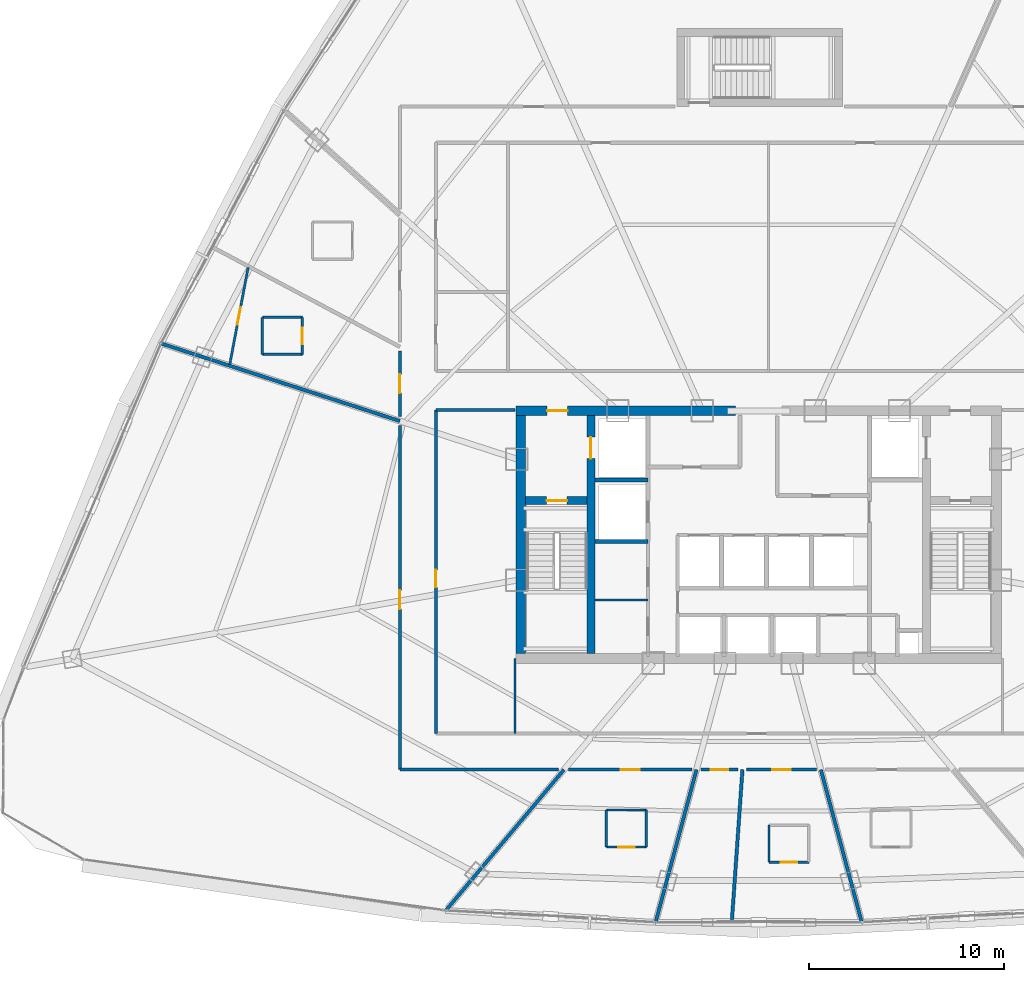
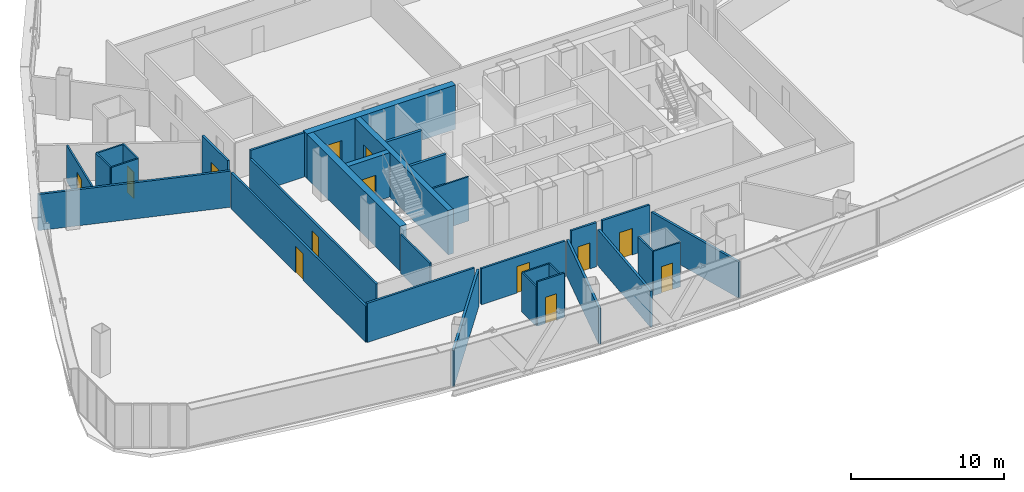
# One storey, part 32 of 40: 32 walls, 13 doors, 13 openings.
"""IFC4 building model written with IfcOpenShell, lengths in metres."""

from ifc_helpers import new_model, si_unit, direction, frame, frame_2d, origin, origin_with_axes, place, context, subcontext, project, spatial, rectangle, extrude, source, transform, mapped, material, layer, layer_set, type_object, element, fill, save


model = new_model("IFC4")

# Units and contexts
model_context = context("Model", 3, precision=1e-05, world=origin(), true_north=direction((0.0, 1.0)))
body_context = subcontext(model_context, "Body", "Model", "MODEL_VIEW")
ifc_project = project(units=[si_unit("LENGTHUNIT", "METRE"), si_unit("AREAUNIT", "SQUARE_METRE"), si_unit("VOLUMEUNIT", "CUBIC_METRE"), si_unit("PLANEANGLEUNIT", "RADIAN"), si_unit("MASSUNIT", "GRAM", prefix="KILO"), si_unit("THERMODYNAMICTEMPERATUREUNIT", "KELVIN"), si_unit("POWERUNIT", "WATT")], contexts=[model_context])

# Site, building, storey
site_placement = place(None, origin())
site = spatial("IfcSite", under=ifc_project, at=site_placement, CompositionType="ELEMENT")
building_placement = place(site_placement, origin())
building = spatial("IfcBuilding", under=site, at=building_placement, Name="Yunzhuo Pagoda Commons", CompositionType="ELEMENT")
storey_placement = place(building_placement, frame((0.0, 0.0, 184.760009765625)))
storey = spatial("IfcBuildingStorey", under=building, at=storey_placement, Name="L46", CompositionType="ELEMENT", Elevation=184.760009765625)

# Wall, opening, door
ifc_material_1 = material(Name="Concrete C50", Category="concrete")
ifc_layer_1 = layer(ifc_material_1, 0.5)
ifc_layer_set_1 = layer_set([ifc_layer_1], Name="Concrete C50")
wall_type_1 = type_object("IfcWallType", Name="W-C03 Upper Core Shear Wall 500", PredefinedType="SHEAR", material=ifc_layer_set_1)
wall_1_placement = place(storey_placement, frame((35.550048828125, 40.199951171875, 0.0), z_axis=(0.0, 0.0, 1.0), x_axis=(1.0, 0.0, 0.0)))
wall_1 = element("IfcWall", 1, at=wall_1_placement, inside=storey, type_object=wall_type_1, Name="L46 core shear wall NW", PredefinedType="SHEAR", context=body_context, shape_type="SweptSolid", body=[
    extrude(rectangle(XDim=11.25, YDim=0.5, at=frame_2d((5.625, 0.0))), origin(), (0.0, 0.0, 1.0), 3.5400390625),
])
opening_1_placement = place(wall_1_placement, frame((1.60009765625, 0.0, 0.0)))
opening_1 = element("IfcOpeningElement", 2, at=opening_1_placement, cuts=wall_1, Name="Opening D-02", PredefinedType="OPENING", context=body_context, shape_type="SweptSolid", body=[
    extrude(rectangle(XDim=1.050048828125, YDim=2.10009765625, at=frame_2d((0.52490234375, 1.050048828125))), frame((0.0, 0.260009765625, 0.0), z_axis=(0.0, -1.0, 0.0), x_axis=(1.0, 0.0, 0.0)), (0.0, 0.0, 1.0), 0.52001953125),
])
ifc_material_2 = material(Name="Galvanized fire-resisting metal leaf")
door_type_1 = type_object("IfcDoorType", Name="D-02 Firefighting Lobby & Refuge Fire Door 1050x2100", OperationType="NOTDEFINED", PredefinedType="DOOR", material=ifc_material_2)
shared_shape_1 = source(origin(), body_context, "Body", "SweptSolid", [
    extrude(rectangle(XDim=1.050048828125, YDim=2.10009765625, at=frame_2d((0.52490234375, 1.050048828125))), frame((0.0, 0.02490234375, 0.0), z_axis=(0.0, -1.0, 0.0), x_axis=(1.0, 0.0, 0.0)), (0.0, 0.0, 1.0), 0.050048828125),
])
door_1_placement = place(opening_1_placement, frame((1.050048828125, 0.0, 0.0), z_axis=(0.0, 0.0, 1.0), x_axis=(-1.0, 0.0, 0.0)))
door_1 = element("IfcDoor", 3, at=door_1_placement, inside=storey, type_object=door_type_1, Name="L46 Firefighting Lobby 1 fire door", OperationType="SINGLE_SWING_LEFT", OverallHeight=2.10009765625, OverallWidth=1.050048828125, PredefinedType="DOOR", context=body_context, shape_type="MappedRepresentation", body=[
    mapped(shared_shape_1, transform((0.0, 0.0, 0.0), scale=1.0)),
])
fill(opening_1, door_1)

# Wall
wall_2_placement = place(storey_placement, frame((35.800048828125, 27.75, 0.0), z_axis=(0.0, 0.0, 1.0), x_axis=(0.0, 1.0, 0.0)))
element("IfcWall", 4, at=wall_2_placement, inside=storey, type_object=wall_type_1, Name="L46 core shear wall W", PredefinedType="SHEAR", context=body_context, shape_type="SweptSolid", body=[
    extrude(rectangle(XDim=12.199951171875, YDim=0.5, at=frame_2d((6.10009765625, 0.0))), origin(), (0.0, 0.0, 1.0), 3.5400390625),
])

# Wall, opening, door
ifc_material_3 = material(Name="Gypsum plasterboard on acoustic stud")
ifc_layer_2 = layer(ifc_material_3, 0.155029296875)
ifc_layer_set_2 = layer_set([ifc_layer_2], Name="Gypsum plasterboard on acoustic stud")
wall_type_2 = type_object("IfcWallType", Name="W-COR2 Mid-Zone Rated Corridor Wall 155", PredefinedType="PARTITIONING", material=ifc_layer_set_2)
wall_3_placement = place(storey_placement, frame((31.449951171875, 23.64990234375, 0.0), z_axis=(0.0, 0.0, 1.0), x_axis=(0.0, 1.0, 0.0)))
wall_3 = element("IfcWall", 5, at=wall_3_placement, inside=storey, type_object=wall_type_2, Name="L46 interior wall IW-L46-SFLW", PredefinedType="PARTITIONING", context=body_context, shape_type="SweptSolid", body=[
    extrude(rectangle(XDim=16.60009765625, YDim=0.155029296875, at=frame_2d((8.300048828125, 0.0))), origin(), (0.0, 0.0, 1.0), 2.889892578125),
])
opening_2_placement = place(wall_3_placement, frame((7.5, 0.0, 0.0)))
opening_2 = element("IfcOpeningElement", 6, at=opening_2_placement, cuts=wall_3, Name="Opening D-12", PredefinedType="OPENING", context=body_context, shape_type="SweptSolid", body=[
    extrude(rectangle(XDim=0.89990234375, YDim=2.080078125, at=frame_2d((0.449951171875, 1.0400390625))), frame((0.0, 0.08740234375, 0.0), z_axis=(0.0, -1.0, 0.0), x_axis=(1.0, 0.0, 0.0)), (0.0, 0.0, 1.0), 0.175048828125),
])
ifc_material_4 = material(Name="Powder-coated aluminium and timber acoustic leaf", Category="wood")
door_type_2 = type_object("IfcDoorType", Name="D-12 Quiet Study Interior Door 900x2080", OperationType="NOTDEFINED", PredefinedType="DOOR", material=ifc_material_4)
shared_shape_2 = source(origin(), body_context, "Body", "SweptSolid", [
    extrude(rectangle(XDim=0.89990234375, YDim=2.080078125, at=frame_2d((0.449951171875, 1.0400390625))), frame((0.0, 0.02490234375, 0.0), z_axis=(0.0, -1.0, 0.0), x_axis=(1.0, 0.0, 0.0)), (0.0, 0.0, 1.0), 0.050048828125),
])
door_2_placement = place(opening_2_placement, origin_with_axes())
door_2 = element("IfcDoor", 7, at=door_2_placement, inside=storey, type_object=door_type_2, Name="L46 west study workroom door", OperationType="SINGLE_SWING_LEFT", OverallHeight=2.080078125, OverallWidth=0.89990234375, PredefinedType="DOOR", context=body_context, shape_type="MappedRepresentation", body=[
    mapped(shared_shape_2, transform((0.0, 0.0, 0.0), scale=1.0)),
])
fill(opening_2, door_2)

# Wall
wall_4_placement = place(storey_placement, frame((31.449951171875, 40.25, 0.0), z_axis=(0.0, 0.0, 1.0), x_axis=(1.0, 0.0, 0.0)))
element("IfcWall", 8, at=wall_4_placement, inside=storey, type_object=wall_type_2, Name="L46 interior wall IW-L46-SFLNW", PredefinedType="PARTITIONING", context=body_context, shape_type="SweptSolid", body=[
    extrude(rectangle(XDim=4.050048828125, YDim=0.155029296875, at=frame_2d((2.02490234375, 0.0))), origin(), (0.0, 0.0, 1.0), 3.5400390625),
])

# Wall, opening, door
wall_5_placement = place(storey_placement, frame((29.60009765625, 21.800048828125, 0.0), z_axis=(0.0, 0.0, 1.0), x_axis=(0.0, 1.0, 0.0)))
wall_5 = element("IfcWall", 9, at=wall_5_placement, inside=storey, type_object=wall_type_2, Name="L46 interior wall IW-L46-CWL01", PredefinedType="PARTITIONING", context=body_context, shape_type="SweptSolid", body=[
    extrude(rectangle(XDim=17.65869140625, YDim=0.155029296875, at=frame_2d((8.829345703125, 0.0))), origin(), (0.0, 0.0, 1.0), 2.889892578125),
])
opening_3_placement = place(wall_5_placement, frame((8.234375, 0.0, 0.0)))
opening_3 = element("IfcOpeningElement", 10, at=opening_3_placement, cuts=wall_5, Name="Opening D-07", PredefinedType="OPENING", context=body_context, shape_type="SweptSolid", body=[
    extrude(rectangle(XDim=0.9599609375, YDim=2.1201171875, at=frame_2d((0.47998046875, 1.06005859375))), frame((0.0, 0.08740234375, 0.0), z_axis=(0.0, -1.0, 0.0), x_axis=(1.0, 0.0, 0.0)), (0.0, 0.0, 1.0), 0.175048828125),
])
door_type_3 = type_object("IfcDoorType", Name="D-07 Mid-Zone Suite Entrance Fire Door 960x2120", OperationType="NOTDEFINED", PredefinedType="DOOR", material=ifc_material_2)
shared_shape_3 = source(origin(), body_context, "Body", "SweptSolid", [
    extrude(rectangle(XDim=0.9599609375, YDim=2.1201171875, at=frame_2d((0.47998046875, 1.06005859375))), frame((0.0, 0.02490234375, 0.0), z_axis=(0.0, -1.0, 0.0), x_axis=(1.0, 0.0, 0.0)), (0.0, 0.0, 1.0), 0.050048828125),
])
door_3_placement = place(opening_3_placement, origin_with_axes())
door_3 = element("IfcDoor", 11, at=door_3_placement, inside=storey, type_object=door_type_3, Name="L46 Resident Co-Living Commons Hall door", OperationType="SINGLE_SWING_RIGHT", OverallHeight=2.1201171875, OverallWidth=0.9599609375, PredefinedType="DOOR", context=body_context, shape_type="MappedRepresentation", body=[
    mapped(shared_shape_3, transform((0.0, 0.0, 0.0), scale=1.0)),
])
fill(opening_3, door_3)

wall_6_placement = place(storey_placement, frame((29.60009765625, 39.909912109375, 0.0), z_axis=(0.0, 0.0, 1.0), x_axis=(0.0, 1.0, 0.0)))
wall_6 = element("IfcWall", 12, at=wall_6_placement, inside=storey, type_object=wall_type_2, Name="L46 interior wall IW-L46-CWL02", PredefinedType="PARTITIONING", context=body_context, shape_type="SweptSolid", body=[
    extrude(rectangle(XDim=3.353515625, YDim=0.155029296875, at=frame_2d((1.6767578125, 0.0))), origin(), (0.0, 0.0, 1.0), 3.5400390625),
])
opening_4_placement = place(wall_6_placement, frame((1.1962890625, 0.0, 0.0)))
opening_4 = element("IfcOpeningElement", 13, at=opening_4_placement, cuts=wall_6, Name="Opening D-07", PredefinedType="OPENING", context=body_context, shape_type="SweptSolid", body=[
    extrude(rectangle(XDim=0.9599609375, YDim=2.1201171875, at=frame_2d((0.47998046875, 1.06005859375))), frame((0.0, 0.08740234375, 0.0), z_axis=(0.0, -1.0, 0.0), x_axis=(1.0, 0.0, 0.0)), (0.0, 0.0, 1.0), 0.175048828125),
])
door_4_placement = place(opening_4_placement, origin_with_axes())
door_4 = element("IfcDoor", 14, at=door_4_placement, inside=storey, type_object=door_type_3, Name="L46 unit 07 entrance door", OperationType="SINGLE_SWING_LEFT", OverallHeight=2.1201171875, OverallWidth=0.9599609375, PredefinedType="DOOR", context=body_context, shape_type="MappedRepresentation", body=[
    mapped(shared_shape_3, transform((0.0, 0.0, 0.0), scale=1.0)),
])
fill(opening_4, door_4)

wall_7_placement = place(storey_placement, frame((50.96875, 21.800048828125, 0.0), z_axis=(0.0, 0.0, 1.0), x_axis=(-1.0, 0.0, 0.0)))
wall_7 = element("IfcWall", 15, at=wall_7_placement, inside=storey, type_object=wall_type_2, Name="L46 interior wall IW-L46-CWL15", PredefinedType="PARTITIONING", context=body_context, shape_type="SweptSolid", body=[
    extrude(rectangle(XDim=3.5810546875, YDim=0.155029296875, at=frame_2d((1.79052734375, 0.0))), origin(), (0.0, 0.0, 1.0), 3.5400390625),
])
opening_5_placement = place(wall_7_placement, frame((1.3154296875, 0.0, 0.0)))
opening_5 = element("IfcOpeningElement", 16, at=opening_5_placement, cuts=wall_7, Name="Opening D-07", PredefinedType="OPENING", context=body_context, shape_type="SweptSolid", body=[
    extrude(rectangle(XDim=0.9599609375, YDim=2.1201171875, at=frame_2d((0.47998046875, 1.06005859375))), frame((0.0, 0.08740234375, 0.0), z_axis=(0.0, -1.0, 0.0), x_axis=(1.0, 0.0, 0.0)), (0.0, 0.0, 1.0), 0.175048828125),
])
door_5_placement = place(opening_5_placement, origin_with_axes())
door_5 = element("IfcDoor", 17, at=door_5_placement, inside=storey, type_object=door_type_3, Name="L46 unit 11 entrance door", OperationType="SINGLE_SWING_LEFT", OverallHeight=2.1201171875, OverallWidth=0.9599609375, PredefinedType="DOOR", context=body_context, shape_type="MappedRepresentation", body=[
    mapped(shared_shape_3, transform((0.0, 0.0, 0.0), scale=1.0)),
])
fill(opening_5, door_5)

wall_8_placement = place(storey_placement, frame((46.947509765625, 21.800048828125, 0.0), z_axis=(0.0, 0.0, 1.0), x_axis=(-1.0, 0.0, 0.0)))
wall_8 = element("IfcWall", 18, at=wall_8_placement, inside=storey, type_object=wall_type_2, Name="L46 interior wall IW-L46-CWL16", PredefinedType="PARTITIONING", context=body_context, shape_type="SweptSolid", body=[
    extrude(rectangle(XDim=1.916259765625, YDim=0.155029296875, at=frame_2d((0.9580078125, 0.0))), origin(), (0.0, 0.0, 1.0), 3.5400390625),
])
opening_6_placement = place(wall_8_placement, frame((0.497802734375, 0.0, 0.0)))
opening_6 = element("IfcOpeningElement", 19, at=opening_6_placement, cuts=wall_8, Name="Opening D-12", PredefinedType="OPENING", context=body_context, shape_type="SweptSolid", body=[
    extrude(rectangle(XDim=0.89990234375, YDim=2.080078125, at=frame_2d((0.449951171875, 1.0400390625))), frame((0.0, 0.08740234375, 0.0), z_axis=(0.0, -1.0, 0.0), x_axis=(1.0, 0.0, 0.0)), (0.0, 0.0, 1.0), 0.175048828125),
])
door_6_placement = place(opening_6_placement, origin_with_axes())
door_6 = element("IfcDoor", 20, at=door_6_placement, inside=storey, type_object=door_type_2, Name="L46 study lounge 10 door", OperationType="SINGLE_SWING_RIGHT", OverallHeight=2.080078125, OverallWidth=0.89990234375, PredefinedType="DOOR", context=body_context, shape_type="MappedRepresentation", body=[
    mapped(shared_shape_2, transform((0.0, 0.0, 0.0), scale=1.0)),
])
fill(opening_6, door_6)

wall_9_placement = place(storey_placement, frame((44.58349609375, 21.800048828125, 0.0), z_axis=(0.0, 0.0, 1.0), x_axis=(-1.0, 0.0, 0.0)))
wall_9 = element("IfcWall", 21, at=wall_9_placement, inside=storey, type_object=wall_type_2, Name="L46 interior wall IW-L46-CWL17", PredefinedType="PARTITIONING", context=body_context, shape_type="SweptSolid", body=[
    extrude(rectangle(XDim=6.348876953125, YDim=0.155029296875, at=frame_2d((3.17431640625, 0.0))), origin(), (0.0, 0.0, 1.0), 2.889892578125),
])
opening_7_placement = place(wall_9_placement, frame((2.695556640625, 0.0, 0.0)))
opening_7 = element("IfcOpeningElement", 22, at=opening_7_placement, cuts=wall_9, Name="Opening D-07", PredefinedType="OPENING", context=body_context, shape_type="SweptSolid", body=[
    extrude(rectangle(XDim=0.9599609375, YDim=2.1201171875, at=frame_2d((0.47998046875, 1.06005859375))), frame((0.0, 0.08740234375, 0.0), z_axis=(0.0, -1.0, 0.0), x_axis=(1.0, 0.0, 0.0)), (0.0, 0.0, 1.0), 0.175048828125),
])
door_7_placement = place(opening_7_placement, origin_with_axes())
door_7 = element("IfcDoor", 23, at=door_7_placement, inside=storey, type_object=door_type_3, Name="L46 unit 09 entrance door", OperationType="SINGLE_SWING_LEFT", OverallHeight=2.1201171875, OverallWidth=0.9599609375, PredefinedType="DOOR", context=body_context, shape_type="MappedRepresentation", body=[
    mapped(shared_shape_3, transform((0.0, 0.0, 0.0), scale=1.0)),
])
fill(opening_7, door_7)

# Walls
wall_10_placement = place(storey_placement, frame((37.7275390625, 21.800048828125, 0.0), z_axis=(0.0, 0.0, 1.0), x_axis=(-1.0, 0.0, 0.0)))
element("IfcWall", 24, at=wall_10_placement, inside=storey, type_object=wall_type_2, Name="L46 interior wall IW-L46-CWL18", PredefinedType="PARTITIONING", context=body_context, shape_type="SweptSolid", body=[
    extrude(rectangle(XDim=8.12744140625, YDim=0.155029296875, at=frame_2d((4.063720703125, 0.0))), origin(), (0.0, 0.0, 1.0), 3.139892578125),
])
ifc_layer_3 = layer(ifc_material_3, 0.1201171875)
ifc_layer_set_3 = layer_set([ifc_layer_3], Name="Gypsum plasterboard on acoustic stud")
wall_type_3 = type_object("IfcWallType", Name="W-PRT1 Suite & Bathroom Partition 120", PredefinedType="PARTITIONING", material=ifc_layer_set_3)
wall_11_placement = place(storey_placement, frame((39.60009765625, 30.5, 0.0), z_axis=(0.0, 0.0, 1.0), x_axis=(1.0, 0.0, 0.0)))
element("IfcWall", 25, at=wall_11_placement, inside=storey, type_object=wall_type_3, Name="L46 interior wall IW-L46-CB1", PredefinedType="PARTITIONING", context=body_context, shape_type="SweptSolid", body=[
    extrude(rectangle(XDim=2.719970703125, YDim=0.1201171875, at=frame_2d((1.35986328125, 0.0))), origin(), (0.0, 0.0, 1.0), 3.5400390625),
])
wall_12_placement = place(storey_placement, frame((35.5, 23.64990234375, 0.0), z_axis=(0.0, 0.0, 1.0), x_axis=(0.0, 1.0, 0.0)))
element("IfcWall", 26, at=wall_12_placement, inside=storey, type_object=wall_type_3, Name="L46 interior wall IW-L46-SFLD1", PredefinedType="PARTITIONING", context=body_context, shape_type="SweptSolid", body=[
    extrude(rectangle(XDim=3.85009765625, YDim=0.1201171875, at=frame_2d((1.925048828125, 0.0))), origin(), (0.0, 0.0, 1.0), 3.139892578125),
])
wall_13_placement = place(storey_placement, frame((22.547119140625, 43.09912109375, 0.0), z_axis=(0.0, 0.0, 1.0), x_axis=(1.0, 0.0, 0.0)))
element("IfcWall", 27, at=wall_13_placement, inside=storey, type_object=wall_type_3, Name="L46 interior wall IW-L46-B07S", PredefinedType="PARTITIONING", context=body_context, shape_type="SweptSolid", body=[
    extrude(rectangle(XDim=2.0498046875, YDim=0.1201171875, at=frame_2d((1.02490234375, 0.0))), origin(), (0.0, 0.0, 1.0), 3.5400390625),
])

# Wall, opening, door
wall_14_placement = place(storey_placement, frame((24.596923828125, 43.09912109375, 0.0), z_axis=(0.0, 0.0, 1.0), x_axis=(0.0, 1.0, 0.0)))
wall_14 = element("IfcWall", 28, at=wall_14_placement, inside=storey, type_object=wall_type_3, Name="L46 interior wall IW-L46-B07E", PredefinedType="PARTITIONING", context=body_context, shape_type="SweptSolid", body=[
    extrude(rectangle(XDim=1.89990234375, YDim=0.1201171875, at=frame_2d((0.949951171875, 0.0))), origin(), (0.0, 0.0, 1.0), 3.5400390625),
])
opening_8_placement = place(wall_14_placement, frame((0.52490234375, 0.0, 0.0)))
opening_8 = element("IfcOpeningElement", 29, at=opening_8_placement, cuts=wall_14, Name="Opening D-05", PredefinedType="OPENING", context=body_context, shape_type="SweptSolid", body=[
    extrude(rectangle(XDim=0.85009765625, YDim=2.10009765625, at=frame_2d((0.425048828125, 1.050048828125))), frame((0.0, 0.070068359375, 0.0), z_axis=(0.0, -1.0, 0.0), x_axis=(1.0, 0.0, 0.0)), (0.0, 0.0, 1.0), 0.14013671875),
])
door_type_4 = type_object("IfcDoorType", Name="D-05 En-Suite Bathroom Door 850x2100", OperationType="NOTDEFINED", PredefinedType="DOOR", material=ifc_material_4)
shared_shape_4 = source(origin(), body_context, "Body", "SweptSolid", [
    extrude(rectangle(XDim=0.85009765625, YDim=2.10009765625, at=frame_2d((0.425048828125, 1.050048828125))), frame((0.0, 0.02490234375, 0.0), z_axis=(0.0, -1.0, 0.0), x_axis=(1.0, 0.0, 0.0)), (0.0, 0.0, 1.0), 0.050048828125),
])
door_8_placement = place(opening_8_placement, frame((0.85009765625, 0.0, 0.0), z_axis=(0.0, 0.0, 1.0), x_axis=(-1.0, 0.0, 0.0)))
door_8 = element("IfcDoor", 30, at=door_8_placement, inside=storey, type_object=door_type_4, Name="L46 unit 07 bathroom door", OperationType="SINGLE_SWING_LEFT", OverallHeight=2.10009765625, OverallWidth=0.85009765625, PredefinedType="DOOR", context=body_context, shape_type="MappedRepresentation", body=[
    mapped(shared_shape_4, transform((0.0, 0.0, 0.0), scale=1.0)),
])
fill(opening_8, door_8)

# Walls
wall_15_placement = place(storey_placement, frame((24.596923828125, 44.9990234375, 0.0), z_axis=(0.0, 0.0, 1.0), x_axis=(-1.0, 0.0, 0.0)))
element("IfcWall", 31, at=wall_15_placement, inside=storey, type_object=wall_type_3, Name="L46 interior wall IW-L46-B07N", PredefinedType="PARTITIONING", context=body_context, shape_type="SweptSolid", body=[
    extrude(rectangle(XDim=2.0498046875, YDim=0.1201171875, at=frame_2d((1.02490234375, 0.0))), origin(), (0.0, 0.0, 1.0), 3.5400390625),
])
wall_16_placement = place(storey_placement, frame((22.547119140625, 44.9990234375, 0.0), z_axis=(0.0, 0.0, 1.0), x_axis=(0.0, -1.0, 0.0)))
element("IfcWall", 32, at=wall_16_placement, inside=storey, type_object=wall_type_3, Name="L46 interior wall IW-L46-B07W", PredefinedType="PARTITIONING", context=body_context, shape_type="SweptSolid", body=[
    extrude(rectangle(XDim=1.89990234375, YDim=0.1201171875, at=frame_2d((0.949951171875, 0.0))), origin(), (0.0, 0.0, 1.0), 3.5400390625),
])

# Wall, opening, door
wall_17_placement = place(storey_placement, frame((21.818359375, 47.55322265625, 0.0), z_axis=(0.0, 0.0, 1.0), x_axis=(-0.186234987185, -0.982505231308, 0.0)))
wall_17 = element("IfcWall", 33, at=wall_17_placement, inside=storey, type_object=wall_type_3, Name="L46 interior wall IW-L46-CLB07", PredefinedType="PARTITIONING", context=body_context, shape_type="SweptSolid", body=[
    extrude(rectangle(XDim=5.0654296875, YDim=0.1201171875, at=frame_2d((2.53271484375, 0.0))), origin(), (0.0, 0.0, 1.0), 2.889892578125),
])
opening_9_placement = place(wall_17_placement, frame((2.072509765625, 0.0, 0.0)))
opening_9 = element("IfcOpeningElement", 34, at=opening_9_placement, cuts=wall_17, Name="Opening D-04", PredefinedType="OPENING", context=body_context, shape_type="SweptSolid", body=[
    extrude(rectangle(XDim=0.919921875, YDim=2.10009765625, at=frame_2d((0.4599609375, 1.050048828125))), frame((0.0, 0.070068359375, 0.0), z_axis=(0.0, -1.0, 0.0), x_axis=(1.0, 0.0, 0.0)), (0.0, 0.0, 1.0), 0.14013671875),
])
door_type_5 = type_object("IfcDoorType", Name="D-04 Bedroom & Study Interior Door 920x2100", OperationType="NOTDEFINED", PredefinedType="DOOR", material=ifc_material_4)
shared_shape_5 = source(origin(), body_context, "Body", "SweptSolid", [
    extrude(rectangle(XDim=0.919921875, YDim=2.10009765625, at=frame_2d((0.4599609375, 1.050048828125))), frame((0.0, 0.02490234375, 0.0), z_axis=(0.0, -1.0, 0.0), x_axis=(1.0, 0.0, 0.0)), (0.0, 0.0, 1.0), 0.050048828125),
])
door_9_placement = place(opening_9_placement, origin_with_axes())
door_9 = element("IfcDoor", 35, at=door_9_placement, inside=storey, type_object=door_type_5, Name="L46 suite 07 bedroom door", OperationType="SINGLE_SWING_LEFT", OverallHeight=2.10009765625, OverallWidth=0.919921875, PredefinedType="DOOR", context=body_context, shape_type="MappedRepresentation", body=[
    mapped(shared_shape_5, transform((0.0, 0.0, 0.0), scale=1.0)),
])
fill(opening_9, door_9)

wall_18_placement = place(storey_placement, frame((40.18701171875, 17.833984375, 0.0), z_axis=(0.0, 0.0, 1.0), x_axis=(1.0, 0.0, 0.0)))
wall_18 = element("IfcWall", 36, at=wall_18_placement, inside=storey, type_object=wall_type_3, Name="L46 interior wall IW-L46-B09S", PredefinedType="PARTITIONING", context=body_context, shape_type="SweptSolid", body=[
    extrude(rectangle(XDim=2.050048828125, YDim=0.1201171875, at=frame_2d((1.02490234375, 0.0))), origin(), (0.0, 0.0, 1.0), 3.5400390625),
])
opening_10_placement = place(wall_18_placement, frame((0.60009765625, 0.0, 0.0)))
opening_10 = element("IfcOpeningElement", 37, at=opening_10_placement, cuts=wall_18, Name="Opening D-05", PredefinedType="OPENING", context=body_context, shape_type="SweptSolid", body=[
    extrude(rectangle(XDim=0.85009765625, YDim=2.10009765625, at=frame_2d((0.425048828125, 1.050048828125))), frame((0.0, 0.070068359375, 0.0), z_axis=(0.0, -1.0, 0.0), x_axis=(1.0, 0.0, 0.0)), (0.0, 0.0, 1.0), 0.14013671875),
])
door_10_placement = place(opening_10_placement, frame((0.85009765625, 0.0, 0.0), z_axis=(0.0, 0.0, 1.0), x_axis=(-1.0, 0.0, 0.0)))
door_10 = element("IfcDoor", 38, at=door_10_placement, inside=storey, type_object=door_type_4, Name="L46 unit 09 bathroom door", OperationType="SINGLE_SWING_LEFT", OverallHeight=2.10009765625, OverallWidth=0.85009765625, PredefinedType="DOOR", context=body_context, shape_type="MappedRepresentation", body=[
    mapped(shared_shape_4, transform((0.0, 0.0, 0.0), scale=1.0)),
])
fill(opening_10, door_10)

# Walls
wall_19_placement = place(storey_placement, frame((42.237060546875, 17.833984375, 0.0), z_axis=(0.0, 0.0, 1.0), x_axis=(0.0, 1.0, 0.0)))
element("IfcWall", 39, at=wall_19_placement, inside=storey, type_object=wall_type_3, Name="L46 interior wall IW-L46-B09E", PredefinedType="PARTITIONING", context=body_context, shape_type="SweptSolid", body=[
    extrude(rectangle(XDim=1.89990234375, YDim=0.1201171875, at=frame_2d((0.949951171875, 0.0))), origin(), (0.0, 0.0, 1.0), 3.139892578125),
])
wall_20_placement = place(storey_placement, frame((42.237060546875, 19.73388671875, 0.0), z_axis=(0.0, 0.0, 1.0), x_axis=(-1.0, 0.0, 0.0)))
element("IfcWall", 40, at=wall_20_placement, inside=storey, type_object=wall_type_3, Name="L46 interior wall IW-L46-B09N", PredefinedType="PARTITIONING", context=body_context, shape_type="SweptSolid", body=[
    extrude(rectangle(XDim=2.050048828125, YDim=0.1201171875, at=frame_2d((1.02490234375, 0.0))), origin(), (0.0, 0.0, 1.0), 3.139892578125),
])
wall_21_placement = place(storey_placement, frame((40.18701171875, 19.73388671875, 0.0), z_axis=(0.0, 0.0, 1.0), x_axis=(0.0, -1.0, 0.0)))
element("IfcWall", 41, at=wall_21_placement, inside=storey, type_object=wall_type_3, Name="L46 interior wall IW-L46-B09W", PredefinedType="PARTITIONING", context=body_context, shape_type="SweptSolid", body=[
    extrude(rectangle(XDim=1.89990234375, YDim=0.1201171875, at=frame_2d((0.949951171875, 0.0))), origin(), (0.0, 0.0, 1.0), 3.139892578125),
])

# Wall, opening, door
wall_22_placement = place(storey_placement, frame((48.52490234375, 17.054931640625, 0.0), z_axis=(0.0, 0.0, 1.0), x_axis=(1.0, 0.0, 0.0)))
wall_22 = element("IfcWall", 42, at=wall_22_placement, inside=storey, type_object=wall_type_3, Name="L46 interior wall IW-L46-B11S", PredefinedType="PARTITIONING", context=body_context, shape_type="SweptSolid", body=[
    extrude(rectangle(XDim=2.050048828125, YDim=0.1201171875, at=frame_2d((1.02490234375, 0.0))), origin(), (0.0, 0.0, 1.0), 3.5400390625),
])
opening_11_placement = place(wall_22_placement, frame((0.60009765625, 0.0, 0.0)))
opening_11 = element("IfcOpeningElement", 43, at=opening_11_placement, cuts=wall_22, Name="Opening D-05", PredefinedType="OPENING", context=body_context, shape_type="SweptSolid", body=[
    extrude(rectangle(XDim=0.85009765625, YDim=2.10009765625, at=frame_2d((0.425048828125, 1.050048828125))), frame((0.0, 0.070068359375, 0.0), z_axis=(0.0, -1.0, 0.0), x_axis=(1.0, 0.0, 0.0)), (0.0, 0.0, 1.0), 0.14013671875),
])
door_11_placement = place(opening_11_placement, frame((0.85009765625, 0.0, 0.0), z_axis=(0.0, 0.0, 1.0), x_axis=(-1.0, 0.0, 0.0)))
door_11 = element("IfcDoor", 44, at=door_11_placement, inside=storey, type_object=door_type_4, Name="L46 unit 11 bathroom door", OperationType="SINGLE_SWING_LEFT", OverallHeight=2.10009765625, OverallWidth=0.85009765625, PredefinedType="DOOR", context=body_context, shape_type="MappedRepresentation", body=[
    mapped(shared_shape_4, transform((0.0, 0.0, 0.0), scale=1.0)),
])
fill(opening_11, door_11)

# Walls
wall_23_placement = place(storey_placement, frame((48.52490234375, 18.955078125, 0.0), z_axis=(0.0, 0.0, 1.0), x_axis=(0.0, -1.0, 0.0)))
element("IfcWall", 45, at=wall_23_placement, inside=storey, type_object=wall_type_3, Name="L46 interior wall IW-L46-B11W", PredefinedType="PARTITIONING", context=body_context, shape_type="SweptSolid", body=[
    extrude(rectangle(XDim=1.900146484375, YDim=0.1201171875, at=frame_2d((0.9501953125, 0.0))), origin(), (0.0, 0.0, 1.0), 3.5400390625),
])
ifc_layer_4 = layer(ifc_material_3, 0.175048828125)
ifc_layer_set_4 = layer_set([ifc_layer_4], Name="Gypsum plasterboard on acoustic stud")
wall_type_4 = type_object("IfcWallType", Name="W-PRT3 Mid-Zone Demising Wall 175", PredefinedType="PARTITIONING", material=ifc_layer_set_4)
wall_24_placement = place(storey_placement, frame((29.60009765625, 39.678466796875, 0.0), z_axis=(0.0, 0.0, 1.0), x_axis=(-0.951054689993, 0.309022615097, 0.0)))
element("IfcWall", 46, at=wall_24_placement, inside=storey, type_object=wall_type_4, Name="L46 interior wall IW-L46-RAD08", PredefinedType="PARTITIONING", context=body_context, shape_type="SweptSolid", body=[
    extrude(rectangle(XDim=12.875244140625, YDim=0.175048828125, at=frame_2d((6.4375, 0.0))), origin(), (0.0, 0.0, 1.0), 2.889892578125),
])
wall_25_placement = place(storey_placement, frame((38.0146484375, 21.800048828125, 0.0), z_axis=(0.0, 0.0, 1.0), x_axis=(-0.642777943688, -0.766052553751, 0.0)))
element("IfcWall", 47, at=wall_25_placement, inside=storey, type_object=wall_type_4, Name="L46 interior wall IW-L46-RAD09", PredefinedType="PARTITIONING", context=body_context, shape_type="SweptSolid", body=[
    extrude(rectangle(XDim=9.430908203125, YDim=0.175048828125, at=frame_2d((4.71533203125, 0.0))), origin(), (0.0, 0.0, 1.0), 2.889892578125),
])
wall_26_placement = place(storey_placement, frame((44.811279296875, 21.800048828125, 0.0), z_axis=(0.0, 0.0, 1.0), x_axis=(-0.258815374981, -0.965926809688, 0.0)))
element("IfcWall", 48, at=wall_26_placement, inside=storey, type_object=wall_type_4, Name="L46 interior wall IW-L46-RAD10", PredefinedType="PARTITIONING", context=body_context, shape_type="SweptSolid", body=[
    extrude(rectangle(XDim=8.105712890625, YDim=0.175048828125, at=frame_2d((4.052734375, 0.0))), origin(), (0.0, 0.0, 1.0), 2.889892578125),
])
wall_27_placement = place(storey_placement, frame((47.16796875, 21.800048828125, 0.0), z_axis=(0.0, 0.0, 1.0), x_axis=(-0.069770314737, -0.997563082307, 0.0)))
element("IfcWall", 49, at=wall_27_placement, inside=storey, type_object=wall_type_4, Name="L46 interior wall IW-L46-RAD11", PredefinedType="PARTITIONING", context=body_context, shape_type="SweptSolid", body=[
    extrude(rectangle(XDim=7.8486328125, YDim=0.175048828125, at=frame_2d((3.92431640625, 0.0))), origin(), (0.0, 0.0, 1.0), 2.889892578125),
])
wall_28_placement = place(storey_placement, frame((51.188720703125, 21.800048828125, 0.0), z_axis=(0.0, 0.0, 1.0), x_axis=(0.258815374981, -0.965926809688, 0.0)))
element("IfcWall", 50, at=wall_28_placement, inside=storey, type_object=wall_type_4, Name="L46 interior wall IW-L46-RAD12", PredefinedType="PARTITIONING", context=body_context, shape_type="SweptSolid", body=[
    extrude(rectangle(XDim=8.105712890625, YDim=0.175048828125, at=frame_2d((4.052734375, 0.0))), origin(), (0.0, 0.0, 1.0), 2.889892578125),
])

# Wall, opening, door
ifc_material_5 = material(Name="Concrete C60", Category="concrete")
ifc_layer_5 = layer(ifc_material_5, 0.39990234375)
ifc_layer_set_5 = layer_set([ifc_layer_5], Name="Concrete C60")
wall_type_5 = type_object("IfcWallType", Name="W-S01 Internal Core Shear Web 400", PredefinedType="SHEAR", material=ifc_layer_set_5)
wall_29_placement = place(storey_placement, frame((39.39990234375, 27.75, 0.0), z_axis=(0.0, 0.0, 1.0), x_axis=(0.0, 1.0, 0.0)))
wall_29 = element("IfcWall", 51, at=wall_29_placement, inside=storey, type_object=wall_type_5, Name="L46 core shear wall WEBW", PredefinedType="SHEAR", context=body_context, shape_type="SweptSolid", body=[
    extrude(rectangle(XDim=12.199951171875, YDim=0.39990234375, at=frame_2d((6.10009765625, 0.0))), origin(), (0.0, 0.0, 1.0), 3.5400390625),
])
opening_12_placement = place(wall_29_placement, frame((10.0, 0.0, 0.0)))
opening_12 = element("IfcOpeningElement", 52, at=opening_12_placement, cuts=wall_29, Name="Opening LD-01", PredefinedType="OPENING", context=body_context, shape_type="SweptSolid", body=[
    extrude(rectangle(XDim=1.10009765625, YDim=2.10009765625, at=frame_2d((0.550048828125, 1.050048828125))), frame((0.0, 0.2099609375, 0.0), z_axis=(0.0, -1.0, 0.0), x_axis=(1.0, 0.0, 0.0)), (0.0, 0.0, 1.0), 0.419921875),
])
door_type_6 = type_object("IfcDoorType", Name="LD-01 Firefighting Lift Landing Door 1100x2100", OperationType="DOUBLE_DOOR_SLIDING", PredefinedType="DOOR", material=ifc_material_2)
shared_shape_6 = source(origin(), body_context, "Body", "SweptSolid", [
    extrude(rectangle(XDim=1.10009765625, YDim=2.10009765625, at=frame_2d((0.550048828125, 1.050048828125))), frame((0.0, 0.02490234375, 0.0), z_axis=(0.0, -1.0, 0.0), x_axis=(1.0, 0.0, 0.0)), (0.0, 0.0, 1.0), 0.050048828125),
])
door_12_placement = place(opening_12_placement, frame((1.10009765625, 0.0, 0.0), z_axis=(0.0, 0.0, 1.0), x_axis=(-1.0, 0.0, 0.0)))
door_12 = element("IfcDoor", 53, at=door_12_placement, inside=storey, type_object=door_type_6, Name="L46 Firefighting lift FL-1 landing door", OperationType="DOUBLE_DOOR_SLIDING", OverallHeight=2.10009765625, OverallWidth=1.10009765625, PredefinedType="DOOR", context=body_context, shape_type="MappedRepresentation", body=[
    mapped(shared_shape_6, transform((0.0, 0.0, 0.0), scale=1.0)),
])
fill(opening_12, door_12)

wall_30_placement = place(storey_placement, frame((36.050048828125, 35.60009765625, 0.0), z_axis=(0.0, 0.0, 1.0), x_axis=(1.0, 0.0, 0.0)))
wall_30 = element("IfcWall", 54, at=wall_30_placement, inside=storey, type_object=wall_type_5, Name="L46 core shear wall STW", PredefinedType="SHEAR", context=body_context, shape_type="SweptSolid", body=[
    extrude(rectangle(XDim=3.14990234375, YDim=0.39990234375, at=frame_2d((1.574951171875, 0.0))), origin(), (0.0, 0.0, 1.0), 3.5400390625),
])
opening_13_placement = place(wall_30_placement, frame((1.070068359375, 0.0, 0.0)))
opening_13 = element("IfcOpeningElement", 55, at=opening_13_placement, cuts=wall_30, Name="Opening D-01", PredefinedType="OPENING", context=body_context, shape_type="SweptSolid", body=[
    extrude(rectangle(XDim=1.050048828125, YDim=2.10009765625, at=frame_2d((0.52490234375, 1.050048828125))), frame((0.0, 0.2099609375, 0.0), z_axis=(0.0, -1.0, 0.0), x_axis=(1.0, 0.0, 0.0)), (0.0, 0.0, 1.0), 0.419921875),
])
door_type_7 = type_object("IfcDoorType", Name="D-01 Smokeproof Stair Fire Door 1050x2100", OperationType="NOTDEFINED", PredefinedType="DOOR", material=ifc_material_2)
door_13_placement = place(opening_13_placement, frame((1.050048828125, 0.0, 0.0), z_axis=(0.0, 0.0, 1.0), x_axis=(-1.0, 0.0, 0.0)))
door_13 = element("IfcDoor", 56, at=door_13_placement, inside=storey, type_object=door_type_7, Name="L46 Stair ST1 fire door", OperationType="SINGLE_SWING_LEFT", OverallHeight=2.10009765625, OverallWidth=1.050048828125, PredefinedType="DOOR", context=body_context, shape_type="MappedRepresentation", body=[
    mapped(shared_shape_1, transform((0.0, 0.0, 0.0), scale=1.0)),
])
fill(opening_13, door_13)

# Walls
ifc_material_6 = material(Name="Concrete C40", Category="concrete")
ifc_layer_6 = layer(ifc_material_6, 0.199951171875)
ifc_layer_set_6 = layer_set([ifc_layer_6], Name="Concrete C40")
wall_type_6 = type_object("IfcWallType", Name="W-SHF Shaft & Stair Enclosure Wall 200", PredefinedType="SOLIDWALL", material=ifc_layer_set_6)
for number, where, z_axis, x_axis, name in (
    (57, (39.60009765625, 36.64990234375, 0.0), (0.0, 0.0, 1.0), (1.0, 0.0, 0.0), "L46 interior wall IW-L46-FL1S"),
    (58, (39.60009765625, 33.5, 0.0), (0.0, 0.0, 1.0), (1.0, 0.0, 0.0), "L46 interior wall IW-L46-SL1S"),
):
    element("IfcWall", number, at=place(storey_placement, frame(where, z_axis=z_axis, x_axis=x_axis)), inside=storey, type_object=wall_type_6, Name=name, PredefinedType="SOLIDWALL", context=body_context, shape_type="SweptSolid", body=[
        extrude(rectangle(XDim=2.719970703125, YDim=0.199951171875, at=frame_2d((1.35986328125, 0.0))), origin(), (0.0, 0.0, 1.0), 3.5400390625),
    ])

save(model, "model.ifc")
